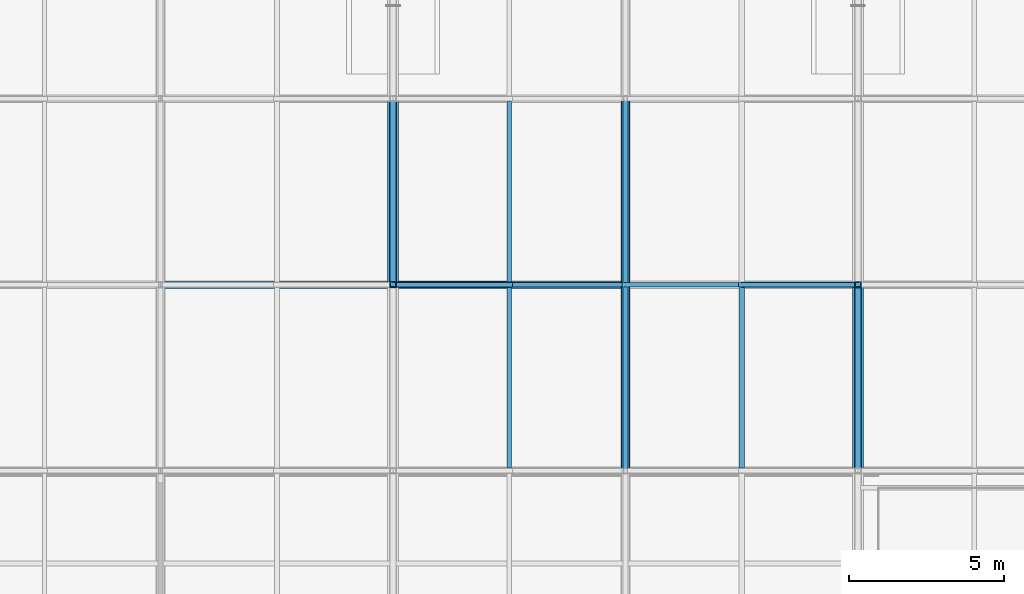
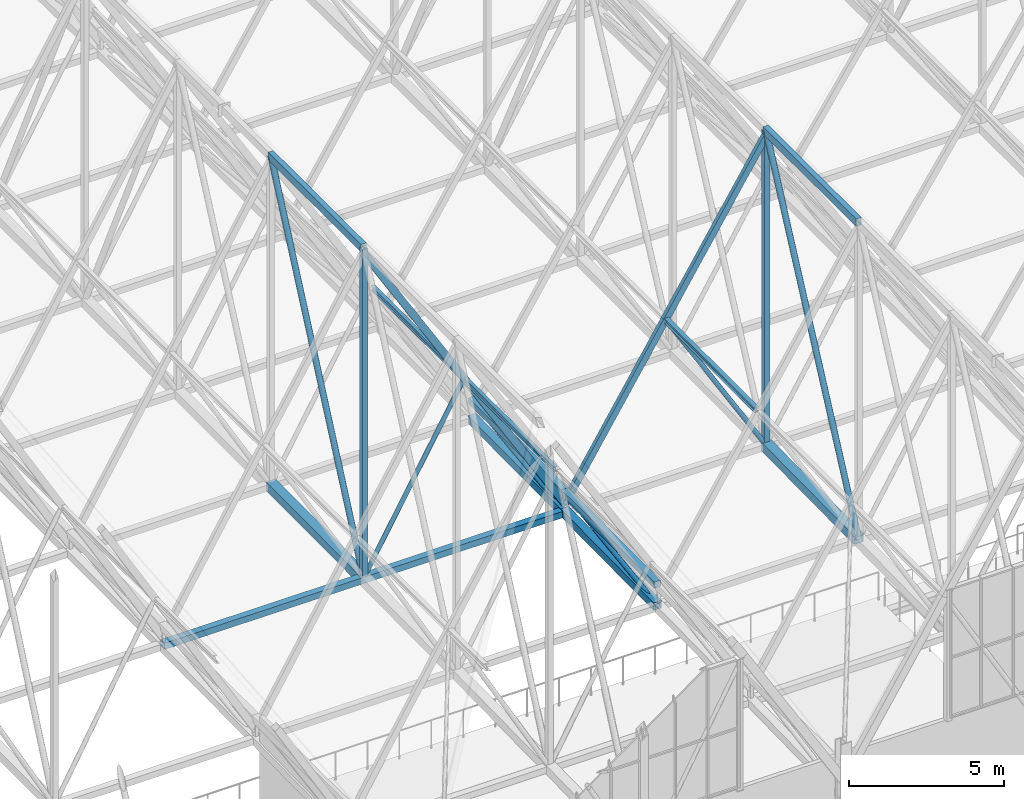
# One storey, part 148 of 324: 21 members, 3 beams.
"""IFC4 building model written with IfcOpenShell, lengths in metres."""

from ifc_helpers import new_model, si_unit, direction, frame, origin, origin_2d, place, context, subcontext, project, spatial, hollow_rectangle, hollow_circle, i_section, extrude, material, material_profile, profile_set, type_object, element, save


model = new_model("IFC4")

# Units and contexts
model_context = context("Model", 3, precision=1e-05, world=origin(), true_north=direction((0.0, 1.0)))
body_context = subcontext(model_context, "Body", "Model", "MODEL_VIEW")
ifc_project = project(units=[si_unit("LENGTHUNIT", "METRE"), si_unit("AREAUNIT", "SQUARE_METRE"), si_unit("VOLUMEUNIT", "CUBIC_METRE"), si_unit("PLANEANGLEUNIT", "RADIAN"), si_unit("MASSUNIT", "GRAM", prefix="KILO")], contexts=[model_context])

# Site, building, storey
site_placement = place(None, origin())
site = spatial("IfcSite", under=ifc_project, at=site_placement, CompositionType="ELEMENT")
building_placement = place(site_placement, origin())
building = spatial("IfcBuilding", under=site, at=building_placement, Name="Solvenia Promenade Tram Depot", CompositionType="ELEMENT")
storey_placement = place(building_placement, frame((0.0, 0.0, 4.5)))
storey = spatial("IfcBuildingStorey", under=building, at=storey_placement, Name="L01", CompositionType="ELEMENT", Elevation=4.5)

# Members
ifc_material_1 = material(Name="Structural steel ASTM A500 Gr. C", Category="steel")
ifc_material_profile_1 = material_profile(ifc_material_1, hollow_circle(Radius=0.109619140625, WallThickness=0.008056640625, at=origin_2d()), Name="CHS219.1x8", Category="steel")
ifc_profile_set_1 = profile_set([ifc_material_profile_1], Name="Structural steel ASTM A500 Gr. C")
member_type_1 = type_object("IfcMemberType", Name="Brace-CHS219x8", PredefinedType="BRACE", material=ifc_profile_set_1)
member_1_placement = place(storey_placement, frame((112.5, 84.0, 2.614013671875), z_axis=(0.0, 0.418183944587, 0.908362366289), x_axis=(-1.0, 0.0, 0.0)))
element("IfcMember", 1, at=member_1_placement, inside=storey, type_object=member_type_1, Name="Arched Truss T16 Web Diagonal S04", PredefinedType="BRACE", context=body_context, shape_type="SweptSolid", body=[
    extrude(hollow_circle(Radius=0.109619140625, WallThickness=0.008056640625, at=origin_2d()), origin(), (0.0, 0.0, 1.0), 14.34765625),
])
member_2_placement = place(storey_placement, frame((127.5, 78.0, 2.5439453125), z_axis=(0.0, 0.432840998382, 0.901470282438), x_axis=(-1.0, 0.0, 0.0)))
element("IfcMember", 2, at=member_2_placement, inside=storey, type_object=member_type_1, Name="Arched Truss T18 Web Diagonal S03", PredefinedType="BRACE", context=body_context, shape_type="SweptSolid", body=[
    extrude(hollow_circle(Radius=0.109619140625, WallThickness=0.008056640625, at=origin_2d()), origin(), (0.0, 0.0, 1.0), 13.86181640625),
])
ifc_material_profile_2 = material_profile(ifc_material_1, hollow_rectangle(XDim=0.14990234375, YDim=0.25, WallThickness=0.010009765625, at=origin_2d()), Name="HSS250x150x10", Category="steel")
ifc_profile_set_2 = profile_set([ifc_material_profile_2], Name="Structural steel ASTM A500 Gr. C")
member_type_2 = type_object("IfcMemberType", Name="Chord-HSS250x150x10", PredefinedType="CHORD", material=ifc_profile_set_2)
for number, where, z_axis, x_axis, name in (
    (3, (112.5, 84.0, 15.42724609375), (0.514584433357, 0.0, -0.857439712718), (0.0, 1.0, 0.0), "Zigzag Gable 08 East Upper Rafter"),
    (4, (116.25, 84.0, 9.1787109375), (0.514584433357, 0.0, -0.857439712718), (0.0, 1.0, 0.0), "Zigzag Gable 08 East Lower Rafter"),
):
    element("IfcMember", number, at=place(storey_placement, frame(where, z_axis=z_axis, x_axis=x_axis)), inside=storey, type_object=member_type_2, Name=name, PredefinedType="CHORD", context=body_context, shape_type="SweptSolid", body=[
        extrude(hollow_rectangle(XDim=0.14990234375, YDim=0.25, WallThickness=0.010009765625, at=origin_2d()), origin(), (0.0, 0.0, 1.0), 7.287353515625),
    ])
member_3_placement = place(storey_placement, frame((120.0, 84.0, 2.942626953125), z_axis=(0.533506771487, 0.0, 0.845795793781), x_axis=(0.0, 1.0, 0.0)))
element("IfcMember", 5, at=member_3_placement, inside=storey, type_object=member_type_2, Name="Zigzag Gable 09 West Lower Rafter", PredefinedType="CHORD", context=body_context, shape_type="SweptSolid", body=[
    extrude(hollow_rectangle(XDim=0.14990234375, YDim=0.25, WallThickness=0.010009765625, at=origin_2d()), origin(), (0.0, 0.0, 1.0), 7.029052734375),
])
member_4_placement = place(storey_placement, frame((123.75, 84.0, 8.8876953125), z_axis=(0.533522444929, 0.0, 0.845785907164), x_axis=(0.0, 1.0, 0.0)))
element("IfcMember", 6, at=member_4_placement, inside=storey, type_object=member_type_2, Name="Zigzag Gable 09 West Upper Rafter", PredefinedType="CHORD", context=body_context, shape_type="SweptSolid", body=[
    extrude(hollow_rectangle(XDim=0.14990234375, YDim=0.25, WallThickness=0.010009765625, at=origin_2d()), origin(), (0.0, 0.0, 1.0), 7.02880859375),
])
ifc_material_profile_3 = material_profile(ifc_material_1, hollow_rectangle(XDim=0.25, YDim=0.25, WallThickness=0.010009765625, at=origin_2d()), Name="HSS250x250x10", Category="steel")
ifc_profile_set_3 = profile_set([ifc_material_profile_3], Name="Structural steel ASTM A500 Gr. C")
member_type_3 = type_object("IfcMemberType", Name="Chord-HSS250x250x10", PredefinedType="CHORD", material=ifc_profile_set_3)
for number, where, z_axis, x_axis, name in (
    (7, (120.0, 78.0, 3.3798828125), (0.0, 1.0, 0.0), (-1.0, 0.0, 0.0), "Arched Truss T17 Upper Chord S03"),
    (8, (120.0, 84.0, 3.3798828125), (0.0, 1.0, 0.0), (-1.0, 0.0, 0.0), "Arched Truss T17 Upper Chord S04"),
):
    element("IfcMember", number, at=place(storey_placement, frame(where, z_axis=z_axis, x_axis=x_axis)), inside=storey, type_object=member_type_3, Name=name, PredefinedType="CHORD", context=body_context, shape_type="SweptSolid", body=[
        extrude(hollow_rectangle(XDim=0.25, YDim=0.25, WallThickness=0.010009765625, at=origin_2d()), origin(), (0.0, 0.0, 1.0), 6.0),
    ])
member_5_placement = place(storey_placement, frame((105.0, 84.0, 2.614013671875), z_axis=(1.0, 0.0, 0.0), x_axis=(0.0, 1.0, 0.0)))
element("IfcMember", 9, at=member_5_placement, inside=storey, type_object=member_type_3, Name="Bottom-Chord Catenary Lateral Tie 066", PredefinedType="CHORD", context=body_context, shape_type="SweptSolid", body=[
    extrude(hollow_rectangle(XDim=0.25, YDim=0.25, WallThickness=0.010009765625, at=origin_2d()), origin(), (0.0, 0.0, 1.0), 15.0),
])
ifc_material_profile_4 = material_profile(ifc_material_1, hollow_rectangle(XDim=0.199951171875, YDim=0.300048828125, WallThickness=0.012451171875, at=origin_2d()), Name="HSS300x200x12.5", Category="steel")
ifc_profile_set_4 = profile_set([ifc_material_profile_4], Name="Structural steel ASTM A500 Gr. C")
member_type_4 = type_object("IfcMemberType", Name="Chord-HSS300x200x12", PredefinedType="CHORD", material=ifc_profile_set_4)
for number, where, z_axis, x_axis, name in (
    (10, (112.5, 84.0, 15.64697265625), (0.0, 1.0, 0.0), (-1.0, 0.0, 0.0), "Arched Truss T16 Upper Chord S04"),
    (11, (127.5, 78.0, 15.0400390625), (0.0, 1.0, 0.0), (-1.0, 0.0, 0.0), "Arched Truss T18 Upper Chord S03"),
):
    element("IfcMember", number, at=place(storey_placement, frame(where, z_axis=z_axis, x_axis=x_axis)), inside=storey, type_object=member_type_4, Name=name, PredefinedType="CHORD", context=body_context, shape_type="SweptSolid", body=[
        extrude(hollow_rectangle(XDim=0.199951171875, YDim=0.300048828125, WallThickness=0.012451171875, at=origin_2d()), origin(), (0.0, 0.0, 1.0), 6.0),
    ])
ifc_material_profile_5 = material_profile(ifc_material_1, hollow_rectangle(XDim=0.300048828125, YDim=0.300048828125, WallThickness=0.012451171875, at=origin_2d()), Name="HSS300x300x12.5", Category="steel")
ifc_profile_set_5 = profile_set([ifc_material_profile_5], Name="Structural steel ASTM A500 Gr. C")
member_type_5 = type_object("IfcMemberType", Name="Chord-HSS300x300x12", PredefinedType="CHORD", material=ifc_profile_set_5)
member_6_placement = place(storey_placement, frame((120.0, 78.0, 2.5439453125), z_axis=(0.0, 0.999931818432, 0.011677263667), x_axis=(-1.0, 0.0, 0.0)))
element("IfcMember", 12, at=member_6_placement, inside=storey, type_object=member_type_5, Name="Arched Truss T17 Bottom Chord S03", PredefinedType="CHORD", context=body_context, shape_type="SweptSolid", body=[
    extrude(hollow_rectangle(XDim=0.300048828125, YDim=0.300048828125, WallThickness=0.012451171875, at=origin_2d()), origin(), (0.0, 0.0, 1.0), 6.00048828125),
])
member_7_placement = place(storey_placement, frame((120.0, 84.0, 2.614013671875), z_axis=(0.0, 0.999975510013, 0.006998526519), x_axis=(-1.0, 0.0, 0.0)))
element("IfcMember", 13, at=member_7_placement, inside=storey, type_object=member_type_5, Name="Arched Truss T17 Bottom Chord S04", PredefinedType="CHORD", context=body_context, shape_type="SweptSolid", body=[
    extrude(hollow_rectangle(XDim=0.300048828125, YDim=0.300048828125, WallThickness=0.012451171875, at=origin_2d()), origin(), (0.0, 0.0, 1.0), 6.000244140625),
])
ifc_material_profile_6 = material_profile(ifc_material_1, hollow_rectangle(XDim=0.35009765625, YDim=0.35009765625, WallThickness=0.01611328125, at=origin_2d()), Name="HSS350x350x16", Category="steel")
ifc_profile_set_6 = profile_set([ifc_material_profile_6], Name="Structural steel ASTM A500 Gr. C")
member_type_6 = type_object("IfcMemberType", Name="Chord-HSS350x350x16", PredefinedType="CHORD", material=ifc_profile_set_6)
member_8_placement = place(storey_placement, frame((112.5, 84.0, 2.614013671875), z_axis=(0.0, 0.999975510013, 0.006998526519), x_axis=(-1.0, 0.0, 0.0)))
element("IfcMember", 14, at=member_8_placement, inside=storey, type_object=member_type_6, Name="Arched Truss T16 Bottom Chord S04", PredefinedType="CHORD", context=body_context, shape_type="SweptSolid", body=[
    extrude(hollow_rectangle(XDim=0.35009765625, YDim=0.35009765625, WallThickness=0.01611328125, at=origin_2d()), origin(), (0.0, 0.0, 1.0), 6.000244140625),
])
member_9_placement = place(storey_placement, frame((127.5, 78.0, 2.5439453125), z_axis=(0.0, 0.999931818432, 0.011677263667), x_axis=(-1.0, 0.0, 0.0)))
element("IfcMember", 15, at=member_9_placement, inside=storey, type_object=member_type_6, Name="Arched Truss T18 Bottom Chord S03", PredefinedType="CHORD", context=body_context, shape_type="SweptSolid", body=[
    extrude(hollow_rectangle(XDim=0.35009765625, YDim=0.35009765625, WallThickness=0.01611328125, at=origin_2d()), origin(), (0.0, 0.0, 1.0), 6.00048828125),
])
ifc_material_profile_7 = material_profile(ifc_material_1, hollow_rectangle(XDim=0.199951171875, YDim=0.199951171875, WallThickness=0.010009765625, at=origin_2d()), Name="HSS200x200x10", Category="steel")
ifc_profile_set_7 = profile_set([ifc_material_profile_7], Name="Structural steel ASTM A500 Gr. C")
member_type_7 = type_object("IfcMemberType", Name="Post-HSS200x200x10", PredefinedType="POST", material=ifc_profile_set_7)
member_10_placement = place(storey_placement, frame((112.5, 84.0, 2.614013671875), z_axis=(0.0, 0.0, 1.0), x_axis=(1.0, 0.0, 0.0)))
element("IfcMember", 16, at=member_10_placement, inside=storey, type_object=member_type_7, Name="Arched Truss T16 Web Post S03", PredefinedType="POST", context=body_context, shape_type="SweptSolid", body=[
    extrude(hollow_rectangle(XDim=0.199951171875, YDim=0.199951171875, WallThickness=0.010009765625, at=origin_2d()), origin(), (0.0, 0.0, 1.0), 13.032958984375),
])
member_11_placement = place(storey_placement, frame((127.5, 84.0, 2.614013671875), z_axis=(0.0, 0.0, 1.0), x_axis=(1.0, 0.0, 0.0)))
element("IfcMember", 17, at=member_11_placement, inside=storey, type_object=member_type_7, Name="Arched Truss T18 Web Post S03", PredefinedType="POST", context=body_context, shape_type="SweptSolid", body=[
    extrude(hollow_rectangle(XDim=0.199951171875, YDim=0.199951171875, WallThickness=0.010009765625, at=origin_2d()), origin(), (0.0, 0.0, 1.0), 12.426025390625),
])

# Beams
ifc_material_2 = material(Name="Structural steel ASTM A992 Gr. 50", Category="steel")
ifc_material_profile_8 = material_profile(ifc_material_2, i_section(OverallWidth=0.133056640625, OverallDepth=0.20703125, WebThickness=0.005859375, FlangeThickness=0.00830078125, FilletRadius=0.009033203125, at=origin_2d()), Name="W200x27", Category="steel")
ifc_profile_set_8 = profile_set([ifc_material_profile_8], Name="Structural steel ASTM A992 Gr. 50")
beam_type_1 = type_object("IfcBeamType", Name="Purlin-W200x27", PredefinedType="USERDEFINED", material=ifc_profile_set_8)
for number, where, z_axis, x_axis, name in (
    (18, (116.25, 78.0849609375, 9.169677734375), (0.0, 1.0, 0.0), (-1.0, 0.0, 0.0), "Gable Roof Purlin E-0146"),
    (19, (116.25, 84.0849609375, 9.169677734375), (0.0, 1.0, 0.0), (-1.0, 0.0, 0.0), "Gable Roof Purlin E-0148"),
):
    element("IfcBeam", number, at=place(storey_placement, frame(where, z_axis=z_axis, x_axis=x_axis)), inside=storey, type_object=beam_type_1, Name=name, ObjectType="PURLIN", PredefinedType="USERDEFINED", context=body_context, shape_type="SweptSolid", body=[
        extrude(i_section(OverallWidth=0.133056640625, OverallDepth=0.20703125, WebThickness=0.005859375, FlangeThickness=0.00830078125, FilletRadius=0.009033203125, at=origin_2d()), origin(), (0.0, 0.0, 1.0), 5.830078125),
    ])
ifc_material_profile_9 = material_profile(ifc_material_2, i_section(OverallWidth=0.1650390625, OverallDepth=0.200927734375, WebThickness=0.006103515625, FlangeThickness=0.01025390625, FilletRadius=0.010009765625, at=origin_2d()), Name="W200x36", Category="steel")
ifc_profile_set_9 = profile_set([ifc_material_profile_9], Name="Structural steel ASTM A992 Gr. 50")
beam_type_2 = type_object("IfcBeamType", Name="Purlin-W200x36", PredefinedType="USERDEFINED", material=ifc_profile_set_9)
beam_placement = place(storey_placement, frame((123.75, 78.0849609375, 8.8857421875), z_axis=(0.0, 1.0, 0.0), x_axis=(-1.0, 0.0, 0.0)))
element("IfcBeam", 20, at=beam_placement, inside=storey, type_object=beam_type_2, Name="Gable Roof Purlin W-0165", ObjectType="PURLIN", PredefinedType="USERDEFINED", context=body_context, shape_type="SweptSolid", body=[
    extrude(i_section(OverallWidth=0.1650390625, OverallDepth=0.200927734375, WebThickness=0.006103515625, FlangeThickness=0.01025390625, FilletRadius=0.010009765625, at=origin_2d()), origin(), (0.0, 0.0, 1.0), 5.830078125),
])

# Members
ifc_material_profile_10 = material_profile(ifc_material_1, hollow_circle(Radius=0.084228515625, WallThickness=0.008056640625, at=origin_2d()), Name="CHS168.3x8", Category="steel")
ifc_profile_set_10 = profile_set([ifc_material_profile_10], Name="Structural steel ASTM A500 Gr. C")
member_type_8 = type_object("IfcMemberType", Name="WebDiag-CHS168x8", PredefinedType="BRACE", material=ifc_profile_set_10)
member_12_placement = place(storey_placement, frame((120.0, 78.0, 2.5439453125), z_axis=(0.0, 0.990433608353, 0.13799009908), x_axis=(-1.0, 0.0, 0.0)))
element("IfcMember", 21, at=member_12_placement, inside=storey, type_object=member_type_8, Name="Arched Truss T17 Web Diagonal S03", PredefinedType="BRACE", context=body_context, shape_type="SweptSolid", body=[
    extrude(hollow_circle(Radius=0.084228515625, WallThickness=0.008056640625, at=origin_2d()), origin(), (0.0, 0.0, 1.0), 6.057861328125),
])
member_13_placement = place(storey_placement, frame((120.0, 84.0, 2.614013671875), z_axis=(0.0, 0.991951613347, 0.126617521609), x_axis=(-1.0, 0.0, 0.0)))
element("IfcMember", 22, at=member_13_placement, inside=storey, type_object=member_type_8, Name="Arched Truss T17 Web Diagonal S04", PredefinedType="BRACE", context=body_context, shape_type="SweptSolid", body=[
    extrude(hollow_circle(Radius=0.084228515625, WallThickness=0.008056640625, at=origin_2d()), origin(), (0.0, 0.0, 1.0), 6.048583984375),
])
member_14_placement = place(storey_placement, frame((112.5, 84.0, 2.614013671875), z_axis=(0.496013737424, 0.0, 0.868314673541), x_axis=(0.0, 1.0, 0.0)))
element("IfcMember", 23, at=member_14_placement, inside=storey, type_object=member_type_8, Name="Zigzag Gable 08 East Knee Strut", PredefinedType="BRACE", context=body_context, shape_type="SweptSolid", body=[
    extrude(hollow_circle(Radius=0.084228515625, WallThickness=0.008056640625, at=origin_2d()), origin(), (0.0, 0.0, 1.0), 7.560302734375),
])
member_15_placement = place(storey_placement, frame((127.5, 84.0, 2.614013671875), z_axis=(-0.513065601132, 0.0, 0.858349397935), x_axis=(0.0, -1.0, 0.0)))
element("IfcMember", 24, at=member_15_placement, inside=storey, type_object=member_type_8, Name="Zigzag Gable 09 West Knee Strut", PredefinedType="BRACE", context=body_context, shape_type="SweptSolid", body=[
    extrude(hollow_circle(Radius=0.084228515625, WallThickness=0.008056640625, at=origin_2d()), origin(), (0.0, 0.0, 1.0), 7.30908203125),
])

save(model, "model.ifc")
